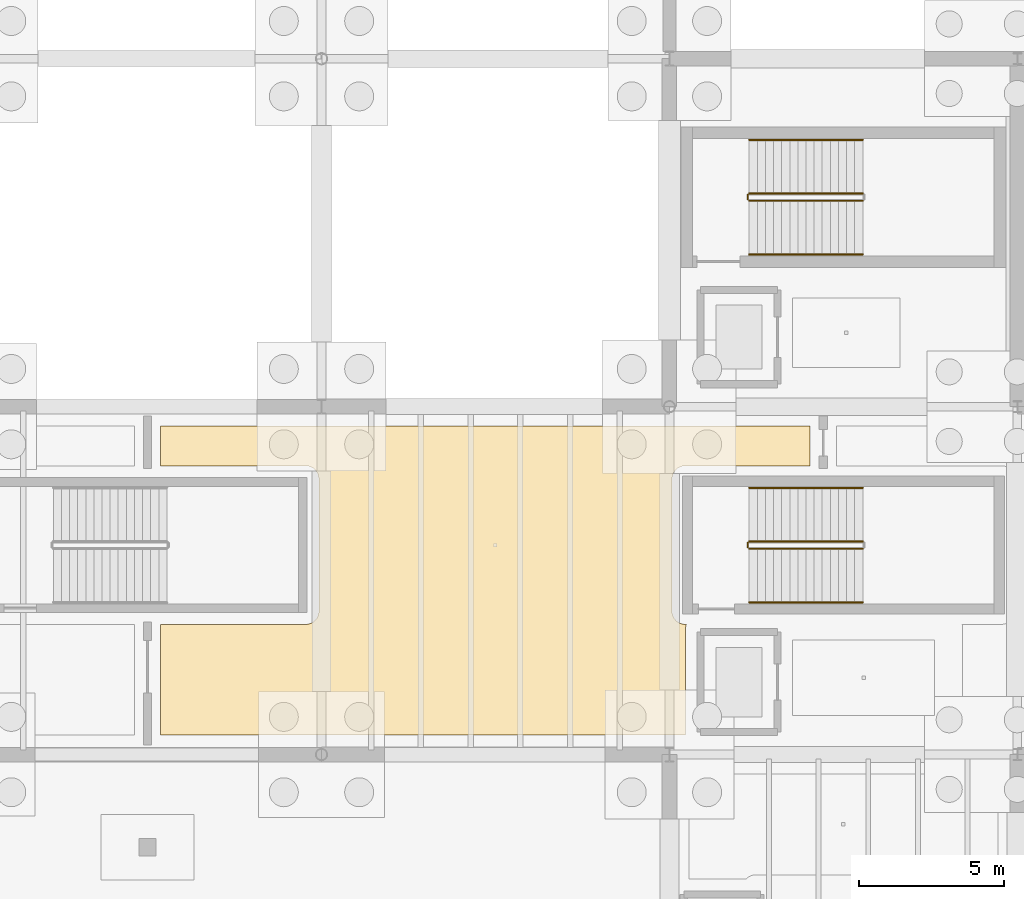
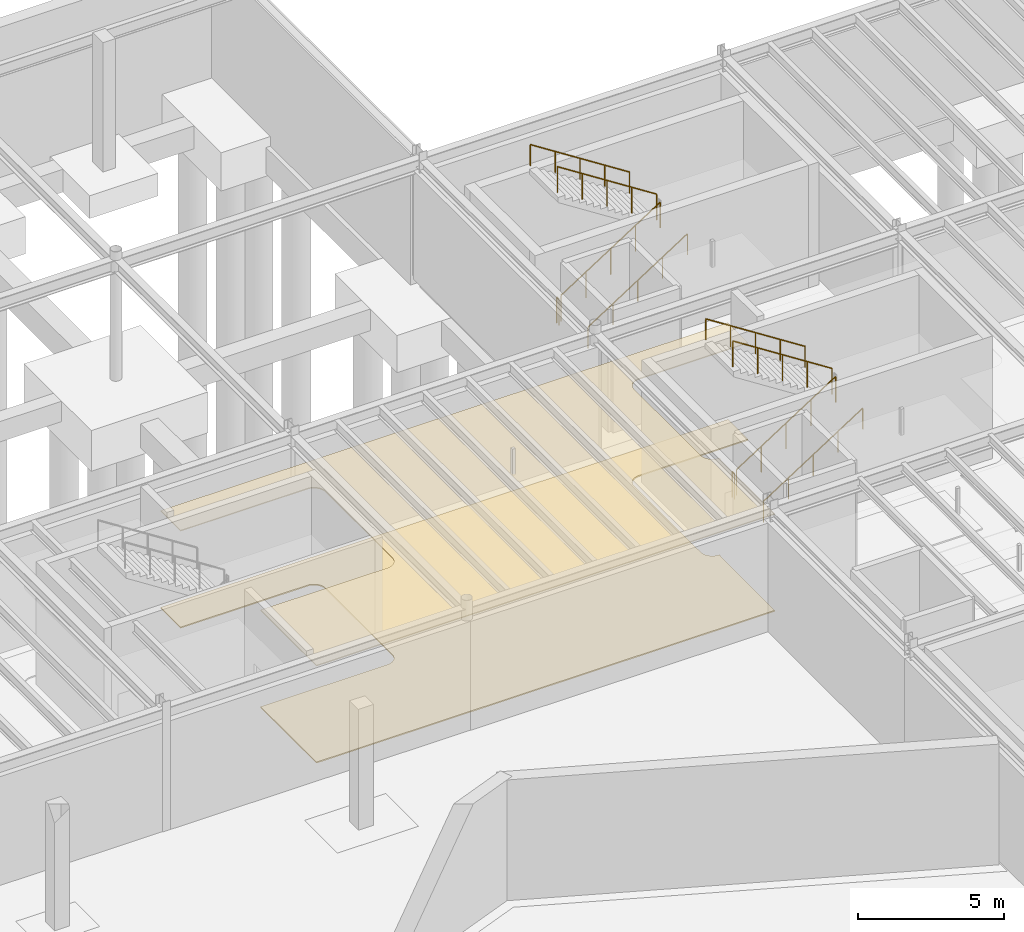
# One storey, part 61 of 67: 10 railings, 2 coverings.
"""IFC4 building model written with IfcOpenShell, lengths in metres."""

from ifc_helpers import new_model, si_unit, direction, frame, origin, origin_2d, place, context, subcontext, project, spatial, polyline, circle, outline, extrude, material, layer, layer_set, type_object, element, save


model = new_model("IFC4")

# Units and contexts
model_context = context("Model", 3, precision=1e-05, world=origin(), true_north=direction((0.0, 1.0)))
body_context = subcontext(model_context, "Body", "Model", "MODEL_VIEW")
ifc_project = project(units=[si_unit("LENGTHUNIT", "METRE"), si_unit("AREAUNIT", "SQUARE_METRE"), si_unit("VOLUMEUNIT", "CUBIC_METRE"), si_unit("PLANEANGLEUNIT", "RADIAN"), si_unit("MASSUNIT", "GRAM", prefix="KILO")], contexts=[model_context])

# Site, building, storey
site_placement = place(None, origin())
site = spatial("IfcSite", under=ifc_project, at=site_placement, CompositionType="ELEMENT")
building_placement = place(site_placement, origin())
building = spatial("IfcBuilding", under=site, at=building_placement, Name="Zlatogorsky Bluff Art Gallery", CompositionType="ELEMENT")
storey_placement = place(building_placement, frame((0.0, 0.0, -5.39990234375)))
storey = spatial("IfcBuildingStorey", under=building, at=storey_placement, Name="B1", CompositionType="ELEMENT", Elevation=-5.39990234375)

# Covering
ifc_material_1 = material(Name="Perforated Gypsum Acoustic Board", Category="gypsum")
ifc_layer_1 = layer(ifc_material_1, 0.0400390625)
ifc_layer_set_1 = layer_set([ifc_layer_1], Name="Acoustic Gallery Ceiling CLG-01")
covering_type_1 = type_object("IfcCoveringType", Name="Acoustic Gallery Ceiling CLG-01", PredefinedType="CEILING", material=ifc_layer_set_1)
covering_1_placement = place(storey_placement, frame((0.0, 0.0, 4.0498046875)))
element("IfcCovering", 1, at=covering_1_placement, inside=storey, type_object=covering_type_1, Name="Climate-Controlled Art Stores acoustic ceiling", PredefinedType="CEILING", context=body_context, shape_type="SweptSolid", body=[
    extrude(outline(polyline([(102.449951171875, 84.669921875), (102.449951171875, 88.489990234375), (107.450927734375, 88.489990234375), (107.495361328125, 88.4921875), (107.539306640625, 88.498779296875), (107.540283203125, 88.498779296875), (107.549560546875, 88.5009765625), (107.550537109375, 88.501220703125), (107.59375, 88.512939453125), (107.6357421875, 88.529296875), (107.637451171875, 88.530029296875), (107.673095703125, 88.5478515625), (107.674072265625, 88.54833984375), (107.706298828125, 88.568115234375), (107.73681640625, 88.59033203125), (107.73828125, 88.591552734375), (107.775390625, 88.624755859375), (107.80859375, 88.661865234375), (107.809814453125, 88.663330078125), (107.83203125, 88.693603515625), (107.851806640625, 88.725830078125), (107.852294921875, 88.726806640625), (107.8701171875, 88.762451171875), (107.870849609375, 88.764404296875), (107.886962890625, 88.80615234375), (107.89892578125, 88.849609375), (107.899169921875, 88.850341796875), (107.901123046875, 88.859619140625), (107.9013671875, 88.860595703125), (107.90771484375, 88.90478515625), (107.909912109375, 88.948974609375), (107.909912109375, 93.5009765625), (107.90771484375, 93.54541015625), (107.9013671875, 93.58935546875), (107.901123046875, 93.59033203125), (107.899169921875, 93.599609375), (107.89892578125, 93.6005859375), (107.886962890625, 93.643798828125), (107.870849609375, 93.685791015625), (107.8701171875, 93.6875), (107.852294921875, 93.72314453125), (107.851806640625, 93.72412109375), (107.83203125, 93.75634765625), (107.809814453125, 93.78662109375), (107.80859375, 93.7880859375), (107.775390625, 93.8251953125), (107.73828125, 93.8583984375), (107.73681640625, 93.859619140625), (107.706298828125, 93.882080078125), (107.674072265625, 93.901611328125), (107.673095703125, 93.902099609375), (107.637451171875, 93.919921875), (107.63671875, 93.92041015625), (107.6357421875, 93.9208984375), (107.59375, 93.93701171875), (107.550537109375, 93.948974609375), (107.549560546875, 93.94921875), (107.540283203125, 93.951171875), (107.539306640625, 93.951416015625), (107.495361328125, 93.957763671875), (107.450927734375, 93.9599609375), (102.449951171875, 93.9599609375), (102.449951171875, 95.330078125), (124.85498046875, 95.330078125), (124.85498046875, 93.9599609375), (120.549072265625, 93.9599609375), (120.504638671875, 93.957763671875), (120.460693359375, 93.951416015625), (120.459716796875, 93.951171875), (120.450439453125, 93.94921875), (120.449462890625, 93.948974609375), (120.40625, 93.93701171875), (120.3642578125, 93.9208984375), (120.36328125, 93.92041015625), (120.362548828125, 93.919921875), (120.326904296875, 93.902099609375), (120.325927734375, 93.901611328125), (120.293701171875, 93.882080078125), (120.26318359375, 93.859619140625), (120.26171875, 93.8583984375), (120.224609375, 93.8251953125), (120.19140625, 93.7880859375), (120.190185546875, 93.78662109375), (120.16796875, 93.75634765625), (120.148193359375, 93.72412109375), (120.147705078125, 93.72314453125), (120.1298828125, 93.6875), (120.129150390625, 93.685791015625), (120.113037109375, 93.643798828125), (120.10107421875, 93.6005859375), (120.100830078125, 93.599609375), (120.098876953125, 93.59033203125), (120.0986328125, 93.58935546875), (120.09228515625, 93.54541015625), (120.090087890625, 93.5009765625), (120.090087890625, 88.948974609375), (120.09228515625, 88.90478515625), (120.0986328125, 88.860595703125), (120.098876953125, 88.859619140625), (120.100830078125, 88.850341796875), (120.10107421875, 88.849609375), (120.113037109375, 88.80615234375), (120.129150390625, 88.764404296875), (120.1298828125, 88.762451171875), (120.147705078125, 88.726806640625), (120.148193359375, 88.725830078125), (120.16796875, 88.693603515625), (120.190185546875, 88.663330078125), (120.19140625, 88.661865234375), (120.224609375, 88.624755859375), (120.26171875, 88.591552734375), (120.26318359375, 88.59033203125), (120.293701171875, 88.568115234375), (120.325927734375, 88.54833984375), (120.326904296875, 88.5478515625), (120.362548828125, 88.530029296875), (120.3642578125, 88.529296875), (120.40625, 88.512939453125), (120.449462890625, 88.501220703125), (120.450439453125, 88.5009765625), (120.459716796875, 88.498779296875), (120.460693359375, 88.498779296875), (120.504638671875, 88.4921875), (120.549072265625, 88.489990234375), (120.5927734375, 88.489990234375), (120.584228515625, 88.47216796875), (120.5693359375, 88.4306640625), (120.55859375, 88.3876953125), (120.55224609375, 88.343994140625), (120.550048828125, 88.300048828125), (120.550048828125, 84.699951171875), (120.551513671875, 84.669921875), (102.449951171875, 84.669921875)])), origin(), (0.0, 0.0, 1.0), 0.0400390625),
])

# Railings
ifc_material_2 = material(Name="Architectural Bronze and Laminated Glass", Category="glass")
railing_type_1 = type_object("IfcRailingType", Name="Gallery Guard Rail 1100mm", PredefinedType="GUARDRAIL", material=ifc_material_2)
railing_1_placement = place(storey_placement, frame((122.75, 91.10009765625, 0.179931640625)))
element("IfcRailing", 2, at=railing_1_placement, inside=storey, type_object=railing_type_1, Name="B1 ST-02 stair guard 1", PredefinedType="GUARDRAIL", context=body_context, shape_type="SweptSolid", body=[
    extrude(circle(Radius=0.02392578125, at=origin_2d()), frame((0.0, 0.0, 1.076171875), z_axis=(0.841171666519, 0.0, 0.540768182723), x_axis=(0.0, 1.0, 0.0)), (0.0, 0.0, 1.0), 4.66015625),
    extrude(circle(Radius=0.02099609375, at=origin_2d()), origin(), (0.0, 0.0, 1.0), 1.052001953125),
    extrude(circle(Radius=0.02099609375, at=origin_2d()), frame((0.97998046875, 0.0, 0.6298828125)), (0.0, 0.0, 1.0), 1.052001953125),
    extrude(circle(Radius=0.02099609375, at=origin_2d()), frame((1.9599609375, 0.0, 1.260009765625)), (0.0, 0.0, 1.0), 1.052001953125),
    extrude(circle(Radius=0.02099609375, at=origin_2d()), frame((2.93994140625, 0.0, 1.89013671875)), (0.0, 0.0, 1.0), 1.052001953125),
    extrude(circle(Radius=0.02099609375, at=origin_2d()), frame((3.919921875, 0.0, 2.52001953125)), (0.0, 0.0, 1.0), 1.052001953125),
])
railing_2_placement = place(storey_placement, frame((126.669921875, 91.35009765625, 2.8798828125)))
element("IfcRailing", 3, at=railing_2_placement, inside=storey, type_object=railing_type_1, Name="B1 ST-02 stair guard 3", PredefinedType="GUARDRAIL", context=body_context, shape_type="SweptSolid", body=[
    extrude(circle(Radius=0.02392578125, at=origin_2d()), frame((0.0, 0.0, 1.076171875), z_axis=(-0.841171666519, 0.0, 0.540768182723), x_axis=(0.0, -1.0, 0.0)), (0.0, 0.0, 1.0), 4.66015625),
    extrude(circle(Radius=0.02099609375, at=origin_2d()), origin(), (0.0, 0.0, 1.0), 1.052001953125),
    extrude(circle(Radius=0.02099609375, at=origin_2d()), frame((-0.97998046875, 0.0, 0.6298828125)), (0.0, 0.0, 1.0), 1.052001953125),
    extrude(circle(Radius=0.02099609375, at=origin_2d()), frame((-1.9599609375, 0.0, 1.260009765625)), (0.0, 0.0, 1.0), 1.052001953125),
    extrude(circle(Radius=0.02099609375, at=origin_2d()), frame((-2.93994140625, 0.0, 1.89013671875)), (0.0, 0.0, 1.0), 1.052001953125),
    extrude(circle(Radius=0.02099609375, at=origin_2d()), frame((-3.919921875, 0.0, 2.52001953125)), (0.0, 0.0, 1.0), 1.052001953125),
])
railing_3_placement = place(storey_placement, frame((122.699951171875, 91.14990234375, 0.0)))
element("IfcRailing", 4, at=railing_3_placement, inside=storey, type_object=railing_type_1, Name="B1 ST-02 stair guard 4", PredefinedType="GUARDRAIL", context=body_context, shape_type="SweptSolid", body=[
    extrude(circle(Radius=0.02392578125, at=origin_2d()), frame((0.0, 0.0, 1.076171875), z_axis=(0.0, 1.0, 0.0), x_axis=(-1.0, 0.0, 0.0)), (0.0, 0.0, 1.0), 0.150146484375),
    extrude(circle(Radius=0.02099609375, at=origin_2d()), origin(), (0.0, 0.0, 1.0), 1.052001953125),
    extrude(circle(Radius=0.02099609375, at=origin_2d()), frame((0.0, 0.150146484375, 0.0)), (0.0, 0.0, 1.0), 1.052001953125),
])
railing_4_placement = place(storey_placement, frame((122.75, 103.10009765625, 0.179931640625)))
element("IfcRailing", 5, at=railing_4_placement, inside=storey, type_object=railing_type_1, Name="B1 ST-03 stair guard 1", PredefinedType="GUARDRAIL", context=body_context, shape_type="SweptSolid", body=[
    extrude(circle(Radius=0.02392578125, at=origin_2d()), frame((0.0, 0.0, 1.076171875), z_axis=(0.841171666519, 0.0, 0.540768182723), x_axis=(0.0, 1.0, 0.0)), (0.0, 0.0, 1.0), 4.66015625),
    extrude(circle(Radius=0.02099609375, at=origin_2d()), origin(), (0.0, 0.0, 1.0), 1.052001953125),
    extrude(circle(Radius=0.02099609375, at=origin_2d()), frame((0.97998046875, 0.0, 0.6298828125)), (0.0, 0.0, 1.0), 1.052001953125),
    extrude(circle(Radius=0.02099609375, at=origin_2d()), frame((1.9599609375, 0.0, 1.260009765625)), (0.0, 0.0, 1.0), 1.052001953125),
    extrude(circle(Radius=0.02099609375, at=origin_2d()), frame((2.93994140625, 0.0, 1.89013671875)), (0.0, 0.0, 1.0), 1.052001953125),
    extrude(circle(Radius=0.02099609375, at=origin_2d()), frame((3.919921875, 0.0, 2.52001953125)), (0.0, 0.0, 1.0), 1.052001953125),
])
railing_5_placement = place(storey_placement, frame((126.669921875, 103.35009765625, 2.8798828125)))
element("IfcRailing", 6, at=railing_5_placement, inside=storey, type_object=railing_type_1, Name="B1 ST-03 stair guard 3", PredefinedType="GUARDRAIL", context=body_context, shape_type="SweptSolid", body=[
    extrude(circle(Radius=0.02392578125, at=origin_2d()), frame((0.0, 0.0, 1.076171875), z_axis=(-0.841171666519, 0.0, 0.540768182723), x_axis=(0.0, -1.0, 0.0)), (0.0, 0.0, 1.0), 4.66015625),
    extrude(circle(Radius=0.02099609375, at=origin_2d()), origin(), (0.0, 0.0, 1.0), 1.052001953125),
    extrude(circle(Radius=0.02099609375, at=origin_2d()), frame((-0.97998046875, 0.0, 0.6298828125)), (0.0, 0.0, 1.0), 1.052001953125),
    extrude(circle(Radius=0.02099609375, at=origin_2d()), frame((-1.9599609375, 0.0, 1.260009765625)), (0.0, 0.0, 1.0), 1.052001953125),
    extrude(circle(Radius=0.02099609375, at=origin_2d()), frame((-2.93994140625, 0.0, 1.89013671875)), (0.0, 0.0, 1.0), 1.052001953125),
    extrude(circle(Radius=0.02099609375, at=origin_2d()), frame((-3.919921875, 0.0, 2.52001953125)), (0.0, 0.0, 1.0), 1.052001953125),
])
railing_6_placement = place(storey_placement, frame((122.699951171875, 103.14990234375, 0.0)))
element("IfcRailing", 7, at=railing_6_placement, inside=storey, type_object=railing_type_1, Name="B1 ST-03 stair guard 4", PredefinedType="GUARDRAIL", context=body_context, shape_type="SweptSolid", body=[
    extrude(circle(Radius=0.02392578125, at=origin_2d()), frame((0.0, 0.0, 1.076171875), z_axis=(0.0, 1.0, 0.0), x_axis=(-1.0, 0.0, 0.0)), (0.0, 0.0, 1.0), 0.150146484375),
    extrude(circle(Radius=0.02099609375, at=origin_2d()), origin(), (0.0, 0.0, 1.0), 1.052001953125),
    extrude(circle(Radius=0.02099609375, at=origin_2d()), frame((0.0, 0.150146484375, 0.0)), (0.0, 0.0, 1.0), 1.052001953125),
])
ifc_material_3 = material(Name="Brushed Stainless Steel", Category="steel")
railing_type_2 = type_object("IfcRailingType", Name="Stair Pitch Handrail 900mm", PredefinedType="HANDRAIL", material=ifc_material_3)
railing_7_placement = place(storey_placement, frame((122.75, 89.25, 0.179931640625)))
element("IfcRailing", 8, at=railing_7_placement, inside=storey, type_object=railing_type_2, Name="B1 ST-02 stair handrail 1", PredefinedType="HANDRAIL", context=body_context, shape_type="SweptSolid", body=[
    extrude(circle(Radius=0.02392578125, at=origin_2d()), frame((0.0, 0.0, 0.8759765625), z_axis=(0.841171666519, 0.0, 0.540768182723), x_axis=(0.0, 1.0, 0.0)), (0.0, 0.0, 1.0), 4.66015625),
    extrude(circle(Radius=0.02099609375, at=origin_2d()), origin(), (0.0, 0.0, 1.0), 0.851806640625),
    extrude(circle(Radius=0.02099609375, at=origin_2d()), frame((0.97998046875, 0.0, 0.6298828125)), (0.0, 0.0, 1.0), 0.851806640625),
    extrude(circle(Radius=0.02099609375, at=origin_2d()), frame((1.9599609375, 0.0, 1.260009765625)), (0.0, 0.0, 1.0), 0.851806640625),
    extrude(circle(Radius=0.02099609375, at=origin_2d()), frame((2.93994140625, 0.0, 1.89013671875)), (0.0, 0.0, 1.0), 0.851806640625),
    extrude(circle(Radius=0.02099609375, at=origin_2d()), frame((3.919921875, 0.0, 2.52001953125)), (0.0, 0.0, 1.0), 0.851806640625),
])
railing_8_placement = place(storey_placement, frame((126.669921875, 93.199951171875, 2.8798828125)))
element("IfcRailing", 9, at=railing_8_placement, inside=storey, type_object=railing_type_2, Name="B1 ST-02 stair handrail 2", PredefinedType="HANDRAIL", context=body_context, shape_type="SweptSolid", body=[
    extrude(circle(Radius=0.02392578125, at=origin_2d()), frame((0.0, 0.0, 0.8759765625), z_axis=(-0.841171666519, 0.0, 0.540768182723), x_axis=(0.0, -1.0, 0.0)), (0.0, 0.0, 1.0), 4.66015625),
    extrude(circle(Radius=0.02099609375, at=origin_2d()), origin(), (0.0, 0.0, 1.0), 0.851806640625),
    extrude(circle(Radius=0.02099609375, at=origin_2d()), frame((-0.97998046875, 0.0, 0.6298828125)), (0.0, 0.0, 1.0), 0.851806640625),
    extrude(circle(Radius=0.02099609375, at=origin_2d()), frame((-1.9599609375, 0.0, 1.260009765625)), (0.0, 0.0, 1.0), 0.851806640625),
    extrude(circle(Radius=0.02099609375, at=origin_2d()), frame((-2.93994140625, 0.0, 1.89013671875)), (0.0, 0.0, 1.0), 0.851806640625),
    extrude(circle(Radius=0.02099609375, at=origin_2d()), frame((-3.919921875, 0.0, 2.52001953125)), (0.0, 0.0, 1.0), 0.851806640625),
])
railing_9_placement = place(storey_placement, frame((122.75, 101.25, 0.179931640625)))
element("IfcRailing", 10, at=railing_9_placement, inside=storey, type_object=railing_type_2, Name="B1 ST-03 stair handrail 1", PredefinedType="HANDRAIL", context=body_context, shape_type="SweptSolid", body=[
    extrude(circle(Radius=0.02392578125, at=origin_2d()), frame((0.0, 0.0, 0.8759765625), z_axis=(0.841171666519, 0.0, 0.540768182723), x_axis=(0.0, 1.0, 0.0)), (0.0, 0.0, 1.0), 4.66015625),
    extrude(circle(Radius=0.02099609375, at=origin_2d()), origin(), (0.0, 0.0, 1.0), 0.851806640625),
    extrude(circle(Radius=0.02099609375, at=origin_2d()), frame((0.97998046875, 0.0, 0.6298828125)), (0.0, 0.0, 1.0), 0.851806640625),
    extrude(circle(Radius=0.02099609375, at=origin_2d()), frame((1.9599609375, 0.0, 1.260009765625)), (0.0, 0.0, 1.0), 0.851806640625),
    extrude(circle(Radius=0.02099609375, at=origin_2d()), frame((2.93994140625, 0.0, 1.89013671875)), (0.0, 0.0, 1.0), 0.851806640625),
    extrude(circle(Radius=0.02099609375, at=origin_2d()), frame((3.919921875, 0.0, 2.52001953125)), (0.0, 0.0, 1.0), 0.851806640625),
])
railing_10_placement = place(storey_placement, frame((126.669921875, 105.199951171875, 2.8798828125)))
element("IfcRailing", 11, at=railing_10_placement, inside=storey, type_object=railing_type_2, Name="B1 ST-03 stair handrail 2", PredefinedType="HANDRAIL", context=body_context, shape_type="SweptSolid", body=[
    extrude(circle(Radius=0.02392578125, at=origin_2d()), frame((0.0, 0.0, 0.8759765625), z_axis=(-0.841171666519, 0.0, 0.540768182723), x_axis=(0.0, -1.0, 0.0)), (0.0, 0.0, 1.0), 4.66015625),
    extrude(circle(Radius=0.02099609375, at=origin_2d()), origin(), (0.0, 0.0, 1.0), 0.851806640625),
    extrude(circle(Radius=0.02099609375, at=origin_2d()), frame((-0.97998046875, 0.0, 0.6298828125)), (0.0, 0.0, 1.0), 0.851806640625),
    extrude(circle(Radius=0.02099609375, at=origin_2d()), frame((-1.9599609375, 0.0, 1.260009765625)), (0.0, 0.0, 1.0), 0.851806640625),
    extrude(circle(Radius=0.02099609375, at=origin_2d()), frame((-2.93994140625, 0.0, 1.89013671875)), (0.0, 0.0, 1.0), 0.851806640625),
    extrude(circle(Radius=0.02099609375, at=origin_2d()), frame((-3.919921875, 0.0, 2.52001953125)), (0.0, 0.0, 1.0), 0.851806640625),
])

# Covering
ifc_material_4 = material(Name="Polished Ural Marble Terrazzo", Category="masonry")
ifc_layer_2 = layer(ifc_material_4, 0.050048828125)
ifc_layer_set_2 = layer_set([ifc_layer_2], Name="Terrazzo Gallery Flooring FLR-01")
covering_type_2 = type_object("IfcCoveringType", Name="Terrazzo Gallery Flooring FLR-01", PredefinedType="FLOORING", material=ifc_layer_set_2)
covering_2_placement = place(storey_placement, origin())
element("IfcCovering", 12, at=covering_2_placement, inside=storey, type_object=covering_type_2, Name="Climate-Controlled Art Stores terrazzo floor finish", PredefinedType="FLOORING", context=body_context, shape_type="SweptSolid", body=[
    extrude(outline(polyline([(102.449951171875, 84.669921875), (102.449951171875, 88.489990234375), (107.450927734375, 88.489990234375), (107.495361328125, 88.4921875), (107.539306640625, 88.498779296875), (107.540283203125, 88.498779296875), (107.549560546875, 88.5009765625), (107.550537109375, 88.501220703125), (107.59375, 88.512939453125), (107.6357421875, 88.529296875), (107.637451171875, 88.530029296875), (107.673095703125, 88.5478515625), (107.674072265625, 88.54833984375), (107.706298828125, 88.568115234375), (107.73681640625, 88.59033203125), (107.73828125, 88.591552734375), (107.775390625, 88.624755859375), (107.80859375, 88.661865234375), (107.809814453125, 88.663330078125), (107.83203125, 88.693603515625), (107.851806640625, 88.725830078125), (107.852294921875, 88.726806640625), (107.8701171875, 88.762451171875), (107.870849609375, 88.764404296875), (107.886962890625, 88.80615234375), (107.89892578125, 88.849609375), (107.899169921875, 88.850341796875), (107.901123046875, 88.859619140625), (107.9013671875, 88.860595703125), (107.90771484375, 88.90478515625), (107.909912109375, 88.948974609375), (107.909912109375, 93.5009765625), (107.90771484375, 93.54541015625), (107.9013671875, 93.58935546875), (107.901123046875, 93.59033203125), (107.899169921875, 93.599609375), (107.89892578125, 93.6005859375), (107.886962890625, 93.643798828125), (107.870849609375, 93.685791015625), (107.8701171875, 93.6875), (107.852294921875, 93.72314453125), (107.851806640625, 93.72412109375), (107.83203125, 93.75634765625), (107.809814453125, 93.78662109375), (107.80859375, 93.7880859375), (107.775390625, 93.8251953125), (107.73828125, 93.8583984375), (107.73681640625, 93.859619140625), (107.706298828125, 93.882080078125), (107.674072265625, 93.901611328125), (107.673095703125, 93.902099609375), (107.637451171875, 93.919921875), (107.63671875, 93.92041015625), (107.6357421875, 93.9208984375), (107.59375, 93.93701171875), (107.550537109375, 93.948974609375), (107.549560546875, 93.94921875), (107.540283203125, 93.951171875), (107.539306640625, 93.951416015625), (107.495361328125, 93.957763671875), (107.450927734375, 93.9599609375), (102.449951171875, 93.9599609375), (102.449951171875, 95.330078125), (124.85498046875, 95.330078125), (124.85498046875, 93.9599609375), (120.549072265625, 93.9599609375), (120.504638671875, 93.957763671875), (120.460693359375, 93.951416015625), (120.459716796875, 93.951171875), (120.450439453125, 93.94921875), (120.449462890625, 93.948974609375), (120.40625, 93.93701171875), (120.3642578125, 93.9208984375), (120.36328125, 93.92041015625), (120.362548828125, 93.919921875), (120.326904296875, 93.902099609375), (120.325927734375, 93.901611328125), (120.293701171875, 93.882080078125), (120.26318359375, 93.859619140625), (120.26171875, 93.8583984375), (120.224609375, 93.8251953125), (120.19140625, 93.7880859375), (120.190185546875, 93.78662109375), (120.16796875, 93.75634765625), (120.148193359375, 93.72412109375), (120.147705078125, 93.72314453125), (120.1298828125, 93.6875), (120.129150390625, 93.685791015625), (120.113037109375, 93.643798828125), (120.10107421875, 93.6005859375), (120.100830078125, 93.599609375), (120.098876953125, 93.59033203125), (120.0986328125, 93.58935546875), (120.09228515625, 93.54541015625), (120.090087890625, 93.5009765625), (120.090087890625, 88.948974609375), (120.09228515625, 88.90478515625), (120.0986328125, 88.860595703125), (120.098876953125, 88.859619140625), (120.100830078125, 88.850341796875), (120.10107421875, 88.849609375), (120.113037109375, 88.80615234375), (120.129150390625, 88.764404296875), (120.1298828125, 88.762451171875), (120.147705078125, 88.726806640625), (120.148193359375, 88.725830078125), (120.16796875, 88.693603515625), (120.190185546875, 88.663330078125), (120.19140625, 88.661865234375), (120.224609375, 88.624755859375), (120.26171875, 88.591552734375), (120.26318359375, 88.59033203125), (120.293701171875, 88.568115234375), (120.325927734375, 88.54833984375), (120.326904296875, 88.5478515625), (120.362548828125, 88.530029296875), (120.3642578125, 88.529296875), (120.40625, 88.512939453125), (120.449462890625, 88.501220703125), (120.450439453125, 88.5009765625), (120.459716796875, 88.498779296875), (120.460693359375, 88.498779296875), (120.504638671875, 88.4921875), (120.549072265625, 88.489990234375), (120.5927734375, 88.489990234375), (120.584228515625, 88.47216796875), (120.5693359375, 88.4306640625), (120.55859375, 88.3876953125), (120.55224609375, 88.343994140625), (120.550048828125, 88.300048828125), (120.550048828125, 84.699951171875), (120.551513671875, 84.669921875), (102.449951171875, 84.669921875)])), origin(), (0.0, 0.0, 1.0), 0.0498046875),
])

save(model, "model.ifc")
